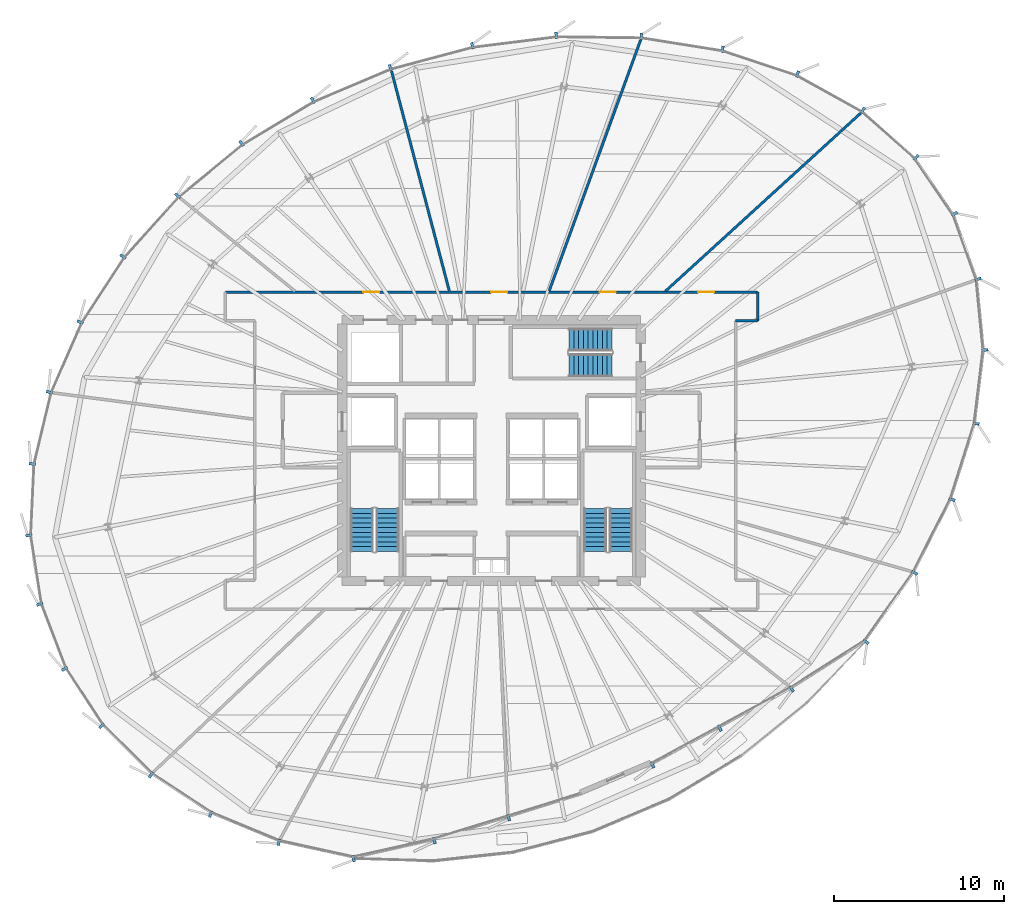
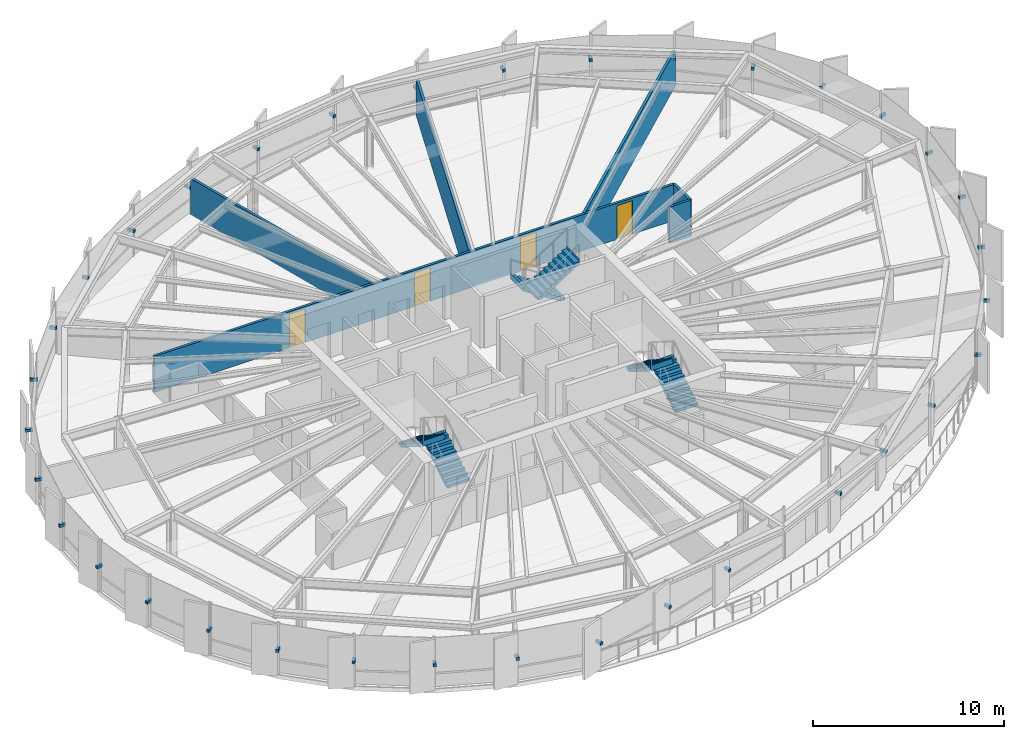
# One storey, part 31 of 36: 35 discrete accessories, 6 stair flights, 6 walls, 4 doors, 4 openings, 3 elements without a shape of their own.
"""IFC4 building model written with IfcOpenShell, lengths in metres."""

from ifc_helpers import new_model, si_unit, direction, frame, frame_2d, origin, origin_2d, place, context, subcontext, project, spatial, polyline, rectangle, outline, extrude, source, transform, mapped, material, layer, layer_set, type_object, element, fill, aggregate, save


model = new_model("IFC4")

# Units and contexts
model_context = context("Model", 3, precision=1e-05, world=origin(), true_north=direction((0.0, 1.0)))
body_context = subcontext(model_context, "Body", "Model", "MODEL_VIEW")
ifc_project = project(units=[si_unit("LENGTHUNIT", "METRE"), si_unit("AREAUNIT", "SQUARE_METRE"), si_unit("VOLUMEUNIT", "CUBIC_METRE"), si_unit("PLANEANGLEUNIT", "RADIAN"), si_unit("MASSUNIT", "GRAM", prefix="KILO"), si_unit("THERMODYNAMICTEMPERATUREUNIT", "KELVIN")], contexts=[model_context])

# Site, building, storey
site_placement = place(None, origin())
site = spatial("IfcSite", under=ifc_project, at=site_placement, CompositionType="ELEMENT")
building_placement = place(site_placement, origin())
building = spatial("IfcBuilding", under=site, at=building_placement, Name="Kethvar Cultural Tower", CompositionType="ELEMENT")
storey_placement = place(building_placement, frame((0.0, 0.0, 143.0)))
storey = spatial("IfcBuildingStorey", under=building, at=storey_placement, Name="L36", CompositionType="ELEMENT", Elevation=143.0)

# Walls
ifc_material_1 = material(Name="Gypsum Fireboard Partition")
ifc_layer_1 = layer(ifc_material_1, 0.14990234375, Name="Gypsum Fireboard Partition")
ifc_layer_set_1 = layer_set([ifc_layer_1], Name="Gypsum Fireboard Partition (150 mm)")
wall_type_1 = type_object("IfcWallType", Name="WL-FIRE-150", PredefinedType="PARTITIONING", material=ifc_layer_set_1)
wall_1_placement = place(storey_placement, frame((61.199951171875, 35.449951171875, 0.0), z_axis=(0.0, 0.0, 1.0), x_axis=(1.0, 0.0, 0.0)))
element("IfcWall", 1, at=wall_1_placement, inside=storey, type_object=wall_type_1, Name="L36 Corridor Rated Wall ENT", PredefinedType="PARTITIONING", context=body_context, shape_type="SweptSolid", body=[
    extrude(rectangle(XDim=1.300048828125, YDim=0.14990234375, at=frame_2d((0.64990234375, 0.0))), origin(), (0.0, 0.0, 1.0), 2.304931640625),
])
wall_2_placement = place(storey_placement, frame((62.5, 35.449951171875, 0.0), z_axis=(0.0, 0.0, 1.0), x_axis=(0.0, 1.0, 0.0)))
element("IfcWall", 2, at=wall_2_placement, inside=storey, type_object=wall_type_1, Name="L36 Corridor Rated Wall EN", PredefinedType="PARTITIONING", context=body_context, shape_type="SweptSolid", body=[
    extrude(rectangle(XDim=1.699951171875, YDim=0.14990234375, at=frame_2d((0.85009765625, 0.0))), origin(), (0.0, 0.0, 1.0), 2.304931640625),
])

# Wall, openings, doors
wall_3_placement = place(storey_placement, frame((62.5, 37.14990234375, 0.0), z_axis=(0.0, 0.0, 1.0), x_axis=(-1.0, 0.0, 0.0)))
wall_3 = element("IfcWall", 3, at=wall_3_placement, inside=storey, type_object=wall_type_1, Name="L36 Corridor Rated Wall N", PredefinedType="PARTITIONING", context=body_context, shape_type="SweptSolid", body=[
    extrude(rectangle(XDim=31.39990234375, YDim=0.14990234375, at=frame_2d((15.699951171875, 0.0))), origin(), (0.0, 0.0, 1.0), 2.304931640625),
])
opening_1_placement = place(wall_3_placement, frame((2.5595703125, 0.0, 0.0)))
opening_1 = element("IfcOpeningElement", 4, at=opening_1_placement, cuts=wall_3, Name="Opening D-L36-06", PredefinedType="OPENING", context=body_context, shape_type="SweptSolid", body=[
    extrude(rectangle(XDim=0.949951171875, YDim=2.14990234375, at=frame_2d((0.47509765625, 1.074951171875))), frame((0.0, 0.0849609375, 0.0), z_axis=(0.0, -1.0, 0.0), x_axis=(1.0, 0.0, 0.0)), (0.0, 0.0, 1.0), 0.169921875),
])
opening_2_placement = place(wall_3_placement, frame((8.360595703125, 0.0, 0.0)))
opening_2 = element("IfcOpeningElement", 5, at=opening_2_placement, cuts=wall_3, Name="Opening D-L36-07", PredefinedType="OPENING", context=body_context, shape_type="SweptSolid", body=[
    extrude(rectangle(XDim=0.949951171875, YDim=2.14990234375, at=frame_2d((0.47509765625, 1.074951171875))), frame((0.0, 0.0849609375, 0.0), z_axis=(0.0, -1.0, 0.0), x_axis=(1.0, 0.0, 0.0)), (0.0, 0.0, 1.0), 0.169921875),
])
opening_3_placement = place(wall_3_placement, frame((14.763427734375, 0.0, 0.0)))
opening_3 = element("IfcOpeningElement", 6, at=opening_3_placement, cuts=wall_3, Name="Opening D-L36-08", PredefinedType="OPENING", context=body_context, shape_type="SweptSolid", body=[
    extrude(rectangle(XDim=0.949951171875, YDim=2.14990234375, at=frame_2d((0.47509765625, 1.074951171875))), frame((0.0, 0.0849609375, 0.0), z_axis=(0.0, -1.0, 0.0), x_axis=(1.0, 0.0, 0.0)), (0.0, 0.0, 1.0), 0.169921875),
])
opening_4_placement = place(wall_3_placement, frame((22.302490234375, 0.0, 0.0)))
opening_4 = element("IfcOpeningElement", 7, at=opening_4_placement, cuts=wall_3, Name="Opening D-L36-09", PredefinedType="OPENING", context=body_context, shape_type="SweptSolid", body=[
    extrude(rectangle(XDim=0.949951171875, YDim=2.14990234375, at=frame_2d((0.47509765625, 1.074951171875))), frame((0.0, 0.0849609375, 0.0), z_axis=(0.0, -1.0, 0.0), x_axis=(1.0, 0.0, 0.0)), (0.0, 0.0, 1.0), 0.169921875),
])
ifc_material_2 = material(Name="Architectural Oak Timber", Category="wood")
door_type = type_object("IfcDoorType", Name="DR-FD30-950", OperationType="NOTDEFINED", PredefinedType="DOOR", material=ifc_material_2)
shared_shape_1 = source(origin(), body_context, "Body", "SweptSolid", [
    extrude(rectangle(XDim=0.949951171875, YDim=2.14990234375, at=frame_2d((0.47509765625, 1.074951171875))), frame((0.0, 0.02490234375, 0.0), z_axis=(0.0, -1.0, 0.0), x_axis=(1.0, 0.0, 0.0)), (0.0, 0.0, 1.0), 0.050048828125),
])
door_1_placement = place(opening_1_placement, origin())
door_1 = element("IfcDoor", 8, at=door_1_placement, inside=storey, type_object=door_type, Name="L36 Cultural Event Salon 06 Door", OperationType="SINGLE_SWING_RIGHT", OverallHeight=2.14990234375, OverallWidth=0.949951171875, PredefinedType="DOOR", context=body_context, shape_type="MappedRepresentation", body=[
    mapped(shared_shape_1, transform((0.0, 0.0, 0.0), scale=1.0)),
])
fill(opening_1, door_1)
door_2_placement = place(opening_2_placement, origin())
door_2 = element("IfcDoor", 9, at=door_2_placement, inside=storey, type_object=door_type, Name="L36 Foundation Executive Office 07 Door", OperationType="SINGLE_SWING_LEFT", OverallHeight=2.14990234375, OverallWidth=0.949951171875, PredefinedType="DOOR", context=body_context, shape_type="MappedRepresentation", body=[
    mapped(shared_shape_1, transform((0.0, 0.0, 0.0), scale=1.0)),
])
fill(opening_2, door_2)
door_3_placement = place(opening_3_placement, origin())
door_3 = element("IfcDoor", 10, at=door_3_placement, inside=storey, type_object=door_type, Name="L36 Members' Refreshment Kitchenette 08 Door", OperationType="SINGLE_SWING_RIGHT", OverallHeight=2.14990234375, OverallWidth=0.949951171875, PredefinedType="DOOR", context=body_context, shape_type="MappedRepresentation", body=[
    mapped(shared_shape_1, transform((0.0, 0.0, 0.0), scale=1.0)),
])
fill(opening_3, door_3)
door_4_placement = place(opening_4_placement, origin())
door_4 = element("IfcDoor", 11, at=door_4_placement, inside=storey, type_object=door_type, Name="L36 Scholars' Study Lounge 09 Door", OperationType="SINGLE_SWING_LEFT", OverallHeight=2.14990234375, OverallWidth=0.949951171875, PredefinedType="DOOR", context=body_context, shape_type="MappedRepresentation", body=[
    mapped(shared_shape_1, transform((0.0, 0.0, 0.0), scale=1.0)),
])
fill(opening_4, door_4)

# Walls
ifc_material_3 = material(Name="Gypsum Acoustic Partition")
ifc_layer_2 = layer(ifc_material_3, 0.14990234375, Name="Gypsum Acoustic Partition")
ifc_layer_set_2 = layer_set([ifc_layer_2], Name="Gypsum Acoustic Partition (150 mm)")
wall_type_2 = type_object("IfcWallType", Name="WL-PART-150", PredefinedType="PARTITIONING", material=ifc_layer_set_2)
wall_4_placement = place(storey_placement, frame((57.06982421875, 37.203857421875, 0.0), z_axis=(0.0, 0.0, 1.0), x_axis=(0.738993722189, 0.673712311425, 0.0)))
element("IfcWall", 12, at=wall_4_placement, inside=storey, type_object=wall_type_2, Name="L36 Radial Partition Wall 07", PredefinedType="PARTITIONING", context=body_context, shape_type="SweptSolid", body=[
    extrude(rectangle(XDim=15.572509765625, YDim=0.14990234375, at=frame_2d((7.7861328125, 0.0))), origin(), (0.0, 0.0, 1.0), 2.304931640625),
])
wall_5_placement = place(storey_placement, frame((50.210693359375, 37.22509765625, 0.0), z_axis=(0.0, 0.0, 1.0), x_axis=(0.342383690123, 0.939560220921, 0.0)))
element("IfcWall", 13, at=wall_5_placement, inside=storey, type_object=wall_type_2, Name="L36 Radial Partition Wall 08", PredefinedType="PARTITIONING", context=body_context, shape_type="SweptSolid", body=[
    extrude(rectangle(XDim=15.756591796875, YDim=0.14990234375, at=frame_2d((7.87841796875, 0.0))), origin(), (0.0, 0.0, 1.0), 2.304931640625),
])
wall_6_placement = place(storey_placement, frame((44.311279296875, 37.227294921875, 0.0), z_axis=(0.0, 0.0, 1.0), x_axis=(-0.254138945529, 0.96716771884, 0.0)))
element("IfcWall", 14, at=wall_6_placement, inside=storey, type_object=wall_type_2, Name="L36 Radial Partition Wall 09", PredefinedType="PARTITIONING", context=body_context, shape_type="SweptSolid", body=[
    extrude(rectangle(XDim=13.396484375, YDim=0.14990234375, at=frame_2d((6.6982421875, 0.0))), origin(), (0.0, 0.0, 1.0), 2.304931640625),
])

# Stair, stair flights
ifc_material_4 = material(Name="Concrete C40/50", Category="concrete")
stair_type = type_object("IfcStairType", Name="ST-DOGLEG-135", PredefinedType="HALF_TURN_STAIR", material=ifc_material_4)
stair_1_placement = place(storey_placement, origin())
stair_1 = element("IfcStair", 15, at=stair_1_placement, inside=storey, type_object=stair_type, Name="L36 Core Exit Stair 1", PredefinedType="HALF_TURN_STAIR")
stair_flight_type = type_object("IfcStairFlightType", Name="FL-STRAIGHT-135", PredefinedType="STRAIGHT", material=ifc_material_4)
stair_flight_1_placement = place(storey_placement, frame((40.675048828125, 21.85009765625, 0.0), z_axis=(0.0, 0.0, 1.0), x_axis=(0.0, 1.0, 0.0)))
stair_flight_1 = element("IfcStairFlight", 16, at=stair_flight_1_placement, type_object=stair_flight_type, Name="ST-01 flight 1", NumberOfRisers=10, NumberOfTreads=9, PredefinedType="STRAIGHT", RiserHeight=0.1775, TreadLength=0.28, context=body_context, shape_type="SweptSolid", body=[
    extrude(outline(polyline([(-0.0009765625, -0.0009765625), (-0.0009765625, 0.177490234375), (0.280029296875, 0.177490234375), (0.280029296875, 0.35498046875), (0.56005859375, 0.35498046875), (0.56005859375, 0.532470703125), (0.840087890625, 0.532470703125), (0.840087890625, 0.7099609375), (1.1201171875, 0.7099609375), (1.1201171875, 0.887451171875), (1.39990234375, 0.887451171875), (1.39990234375, 1.06494140625), (1.679931640625, 1.06494140625), (1.679931640625, 1.242431640625), (1.9599609375, 1.242431640625), (1.9599609375, 1.419921875), (2.239990234375, 1.419921875), (2.239990234375, 1.597412109375), (2.52001953125, 1.597412109375), (2.52001953125, 1.77490234375), (2.52099609375, 1.77490234375), (2.52099609375, 1.419921875), (0.280029296875, 0.0), (0.0, -0.0009765625), (-0.0009765625, -0.0009765625)])), frame((0.0, 0.675048828125, 0.0), z_axis=(0.0, -1.0, 0.0), x_axis=(1.0, 0.0, 0.0)), (0.0, 0.0, 1.0), 1.35009765625),
])
stair_flight_2_placement = place(storey_placement, frame((39.1650390625, 24.3701171875, 1.77490234375), z_axis=(0.0, 0.0, 1.0), x_axis=(0.0, -1.0, 0.0)))
stair_flight_2 = element("IfcStairFlight", 17, at=stair_flight_2_placement, type_object=stair_flight_type, Name="ST-01 flight 2", NumberOfRisers=10, NumberOfTreads=9, PredefinedType="STRAIGHT", RiserHeight=0.1775, TreadLength=0.28, context=body_context, shape_type="SweptSolid", body=[
    extrude(outline(polyline([(-0.0009765625, -0.0009765625), (-0.0009765625, 0.177490234375), (0.280029296875, 0.177490234375), (0.280029296875, 0.35498046875), (0.56005859375, 0.35498046875), (0.56005859375, 0.532470703125), (0.840087890625, 0.532470703125), (0.840087890625, 0.7099609375), (1.1201171875, 0.7099609375), (1.1201171875, 0.887451171875), (1.39990234375, 0.887451171875), (1.39990234375, 1.06494140625), (1.679931640625, 1.06494140625), (1.679931640625, 1.242431640625), (1.9599609375, 1.242431640625), (1.9599609375, 1.419921875), (2.239990234375, 1.419921875), (2.239990234375, 1.597412109375), (2.52001953125, 1.597412109375), (2.52001953125, 1.77490234375), (2.52099609375, 1.77490234375), (2.52099609375, 1.419921875), (0.280029296875, 0.0), (0.0, -0.0009765625), (-0.0009765625, -0.0009765625)])), frame((0.0, 0.675048828125, 0.0), z_axis=(0.0, -1.0, 0.0), x_axis=(1.0, 0.0, 0.0)), (0.0, 0.0, 1.0), 1.35009765625),
])
aggregate(stair_1, [stair_flight_1, stair_flight_2])

stair_2_placement = place(storey_placement, origin())
stair_2 = element("IfcStair", 18, at=stair_2_placement, inside=storey, type_object=stair_type, Name="L36 Core Exit Stair 2", PredefinedType="HALF_TURN_STAIR")
stair_flight_3_placement = place(storey_placement, frame((54.43505859375, 21.85009765625, 0.0), z_axis=(0.0, 0.0, 1.0), x_axis=(0.0, 1.0, 0.0)))
stair_flight_3 = element("IfcStairFlight", 19, at=stair_flight_3_placement, type_object=stair_flight_type, Name="ST-02 flight 1", NumberOfRisers=10, NumberOfTreads=9, PredefinedType="STRAIGHT", RiserHeight=0.1775, TreadLength=0.28, context=body_context, shape_type="SweptSolid", body=[
    extrude(outline(polyline([(-0.0009765625, -0.0009765625), (-0.0009765625, 0.177490234375), (0.280029296875, 0.177490234375), (0.280029296875, 0.35498046875), (0.56005859375, 0.35498046875), (0.56005859375, 0.532470703125), (0.840087890625, 0.532470703125), (0.840087890625, 0.7099609375), (1.1201171875, 0.7099609375), (1.1201171875, 0.887451171875), (1.39990234375, 0.887451171875), (1.39990234375, 1.06494140625), (1.679931640625, 1.06494140625), (1.679931640625, 1.242431640625), (1.9599609375, 1.242431640625), (1.9599609375, 1.419921875), (2.239990234375, 1.419921875), (2.239990234375, 1.597412109375), (2.52001953125, 1.597412109375), (2.52001953125, 1.77490234375), (2.52099609375, 1.77490234375), (2.52099609375, 1.419921875), (0.280029296875, 0.0), (0.0, -0.0009765625), (-0.0009765625, -0.0009765625)])), frame((0.0, 0.675048828125, 0.0), z_axis=(0.0, -1.0, 0.0), x_axis=(1.0, 0.0, 0.0)), (0.0, 0.0, 1.0), 1.35009765625),
])
stair_flight_4_placement = place(storey_placement, frame((52.925048828125, 24.3701171875, 1.77490234375), z_axis=(0.0, 0.0, 1.0), x_axis=(0.0, -1.0, 0.0)))
stair_flight_4 = element("IfcStairFlight", 20, at=stair_flight_4_placement, type_object=stair_flight_type, Name="ST-02 flight 2", NumberOfRisers=10, NumberOfTreads=9, PredefinedType="STRAIGHT", RiserHeight=0.1775, TreadLength=0.28, context=body_context, shape_type="SweptSolid", body=[
    extrude(outline(polyline([(-0.0009765625, -0.0009765625), (-0.0009765625, 0.177490234375), (0.280029296875, 0.177490234375), (0.280029296875, 0.35498046875), (0.56005859375, 0.35498046875), (0.56005859375, 0.532470703125), (0.840087890625, 0.532470703125), (0.840087890625, 0.7099609375), (1.1201171875, 0.7099609375), (1.1201171875, 0.887451171875), (1.39990234375, 0.887451171875), (1.39990234375, 1.06494140625), (1.679931640625, 1.06494140625), (1.679931640625, 1.242431640625), (1.9599609375, 1.242431640625), (1.9599609375, 1.419921875), (2.239990234375, 1.419921875), (2.239990234375, 1.597412109375), (2.52001953125, 1.597412109375), (2.52001953125, 1.77490234375), (2.52099609375, 1.77490234375), (2.52099609375, 1.419921875), (0.280029296875, 0.0), (0.0, -0.0009765625), (-0.0009765625, -0.0009765625)])), frame((0.0, 0.675048828125, 0.0), z_axis=(0.0, -1.0, 0.0), x_axis=(1.0, 0.0, 0.0)), (0.0, 0.0, 1.0), 1.35009765625),
])
aggregate(stair_2, [stair_flight_3, stair_flight_4])

stair_3_placement = place(storey_placement, origin())
stair_3 = element("IfcStair", 21, at=stair_3_placement, inside=storey, type_object=stair_type, Name="L36 Core Exit Stair 3", PredefinedType="HALF_TURN_STAIR")
stair_flight_5_placement = place(storey_placement, frame((53.89990234375, 34.3349609375, 0.0), z_axis=(0.0, 0.0, 1.0), x_axis=(-1.0, 0.0, 0.0)))
stair_flight_5 = element("IfcStairFlight", 22, at=stair_flight_5_placement, type_object=stair_flight_type, Name="ST-03 flight 1", NumberOfRisers=10, NumberOfTreads=9, PredefinedType="STRAIGHT", RiserHeight=0.1775, TreadLength=0.28, context=body_context, shape_type="SweptSolid", body=[
    extrude(outline(polyline([(-0.0009765625, -0.0009765625), (-0.0009765625, 0.177490234375), (0.280029296875, 0.177490234375), (0.280029296875, 0.35498046875), (0.56005859375, 0.35498046875), (0.56005859375, 0.532470703125), (0.840087890625, 0.532470703125), (0.840087890625, 0.7099609375), (1.1201171875, 0.7099609375), (1.1201171875, 0.887451171875), (1.39990234375, 0.887451171875), (1.39990234375, 1.06494140625), (1.679931640625, 1.06494140625), (1.679931640625, 1.242431640625), (1.9599609375, 1.242431640625), (1.9599609375, 1.419921875), (2.239990234375, 1.419921875), (2.239990234375, 1.597412109375), (2.52001953125, 1.597412109375), (2.52001953125, 1.77490234375), (2.52099609375, 1.77490234375), (2.52099609375, 1.419921875), (0.280029296875, 0.0), (0.0, -0.0009765625), (-0.0009765625, -0.0009765625)])), frame((0.0, 0.675048828125, 0.0), z_axis=(0.0, -1.0, 0.0), x_axis=(1.0, 0.0, 0.0)), (0.0, 0.0, 1.0), 1.35009765625),
])
stair_flight_6_placement = place(storey_placement, frame((51.3798828125, 32.824951171875, 1.77490234375), z_axis=(0.0, 0.0, 1.0), x_axis=(1.0, 0.0, 0.0)))
stair_flight_6 = element("IfcStairFlight", 23, at=stair_flight_6_placement, type_object=stair_flight_type, Name="ST-03 flight 2", NumberOfRisers=10, NumberOfTreads=9, PredefinedType="STRAIGHT", RiserHeight=0.1775, TreadLength=0.28, context=body_context, shape_type="SweptSolid", body=[
    extrude(outline(polyline([(-0.0009765625, -0.0009765625), (-0.0009765625, 0.177490234375), (0.280029296875, 0.177490234375), (0.280029296875, 0.35498046875), (0.56005859375, 0.35498046875), (0.56005859375, 0.532470703125), (0.840087890625, 0.532470703125), (0.840087890625, 0.7099609375), (1.1201171875, 0.7099609375), (1.1201171875, 0.887451171875), (1.39990234375, 0.887451171875), (1.39990234375, 1.06494140625), (1.679931640625, 1.06494140625), (1.679931640625, 1.242431640625), (1.9599609375, 1.242431640625), (1.9599609375, 1.419921875), (2.239990234375, 1.419921875), (2.239990234375, 1.597412109375), (2.52001953125, 1.597412109375), (2.52001953125, 1.77490234375), (2.52099609375, 1.77490234375), (2.52099609375, 1.419921875), (0.280029296875, 0.0), (0.0, -0.0009765625), (-0.0009765625, -0.0009765625)])), frame((0.0, 0.675048828125, 0.0), z_axis=(0.0, -1.0, 0.0), x_axis=(1.0, 0.0, 0.0)), (0.0, 0.0, 1.0), 1.35009765625),
])
aggregate(stair_3, [stair_flight_5, stair_flight_6])

# Discrete accessories
ifc_material_5 = material(Name="Steel S355J2", Category="steel")
discrete_accessory_type = type_object("IfcDiscreteAccessoryType", Name="Steel Fin Bracket BRK-01", PredefinedType="BRACKET", material=ifc_material_5)
shared_shape_2 = source(origin(), body_context, "Body", "SweptSolid", [
    extrude(rectangle(XDim=0.3798828125, YDim=0.159912109375, at=origin_2d()), origin(), (0.0, 0.0, 1.0), 0.179931640625),
])
for number, where, z_axis, x_axis, name in (
    (24, (74.117919921875, 41.763916015625, 1.56005859375), (0.0, 0.0, 1.0), (0.825507718546, 0.564390827903, 0.0), "L36 Terracotta Fin Bracket 1.1"),
    (25, (71.847900390625, 45.083984375, 1.56005859375), (0.0, 0.0, 1.0), (0.663665141432, 0.748029798903, 0.0), "L36 Terracotta Fin Bracket 1.2"),
    (26, (68.710205078125, 47.86767578125, 1.56005859375), (0.0, 0.0, 1.0), (0.486030346756, 0.873941932872, 0.0), "L36 Terracotta Fin Bracket 1.3"),
    (27, (64.852294921875, 50.01318359375, 1.56005859375), (0.0, 0.0, 1.0), (0.314820866332, 0.949151106053, 0.0), "L36 Terracotta Fin Bracket 1.4"),
    (28, (60.43505859375, 51.478271484375, 1.56005859375), (0.0, 0.0, 1.0), (0.157641036938, 0.987496482765, 0.0), "L36 Terracotta Fin Bracket 1.5"),
    (29, (55.64111328125, 52.2431640625, 1.56005859375), (0.0, 0.0, 1.0), (0.012740558836, 0.999918835786, 0.0), "L36 Terracotta Fin Bracket 1.6"),
    (30, (50.62158203125, 52.302001953125, 1.56005859375), (0.0, 0.0, 1.0), (-0.124294224947, 0.992245405958, 0.0), "L36 Terracotta Fin Bracket 2.1"),
    (31, (45.671875, 51.681884765625, 1.56005859375), (0.0, 0.0, 1.0), (-0.257807388214, 0.966196331282, 0.0), "L36 Terracotta Fin Bracket 2.2"),
    (32, (40.83447265625, 50.39111328125, 1.56005859375), (0.0, 0.0, 1.0), (-0.389445480794, 0.921049519564, 0.0), "L36 Terracotta Fin Bracket 2.3"),
    (33, (36.271728515625, 48.461181640625, 1.56005859375), (0.0, 0.0, 1.0), (-0.516533328867, 0.8562670846, 0.0), "L36 Terracotta Fin Bracket 2.4"),
    (34, (32.0556640625, 45.917724609375, 1.56005859375), (0.0, 0.0, 1.0), (-0.634595636084, 0.772844343101, 0.0), "L36 Terracotta Fin Bracket 2.5"),
    (35, (28.287353515625, 42.823486328125, 1.56005859375), (0.0, 0.0, 1.0), (-0.742209818805, 0.670167579691, 0.0), "L36 Terracotta Fin Bracket 2.6"),
    (36, (25.060302734375, 39.240478515625, 1.56005859375), (0.0, 0.0, 1.0), (-0.837337261414, 0.546686665878, 0.0), "L36 Terracotta Fin Bracket 3.1"),
    (37, (22.535888671875, 35.373779296875, 1.56005859375), (0.0, 0.0, 1.0), (-0.91594298266, 0.401308425672, 0.0), "L36 Terracotta Fin Bracket 3.2"),
    (38, (20.72705078125, 31.244384765625, 1.56005859375), (0.0, 0.0, 1.0), (-0.972369920398, 0.233445363856, 0.0), "L36 Terracotta Fin Bracket 3.3"),
    (39, (19.71044921875, 27.010009765625, 1.56005859375), (0.0, 0.0, 1.0), (-0.99894668085, 0.045886041654, 0.0), "L36 Terracotta Fin Bracket 3.4"),
    (40, (19.51708984375, 22.799560546875, 1.56005859375), (0.0, 0.0, 1.0), (-0.987959865769, -0.154710386299, 0.0), "L36 Terracotta Fin Bracket 3.5"),
    (41, (20.15283203125, 18.7412109375, 1.56005859375), (0.0, 0.0, 1.0), (-0.934142197566, -0.356901043325, 0.0), "L36 Terracotta Fin Bracket 3.6"),
    (42, (21.61962890625, 14.92529296875, 1.56005859375), (0.0, 0.0, 1.0), (-0.837814016633, -0.545955743199, 0.0), "L36 Terracotta Fin Bracket 4.1"),
    (43, (23.809814453125, 11.56494140625, 1.56005859375), (0.0, 0.0, 1.0), (-0.705871570679, -0.708339837725, 0.0), "L36 Terracotta Fin Bracket 4.2"),
    (44, (26.7197265625, 8.66552734375, 1.56005859375), (0.0, 0.0, 1.0), (-0.550043539327, -0.835135979853, 0.0), "L36 Terracotta Fin Bracket 4.3"),
    (45, (30.23974609375, 6.347412109375, 1.56005859375), (0.0, 0.0, 1.0), (-0.382683432365, -0.923879532511, 0.0), "L36 Terracotta Fin Bracket 4.4"),
    (46, (34.2626953125, 4.681396484375, 1.56005859375), (0.0, 0.0, 1.0), (-0.213712440794, -0.976896613081, 0.0), "L36 Terracotta Fin Bracket 4.5"),
    (47, (38.66943359375, 3.718017578125, 1.56005859375), (0.0, 0.0, 1.0), (0.218994806262, -0.975726024471, 0.0), "L36 Terracotta Fin Bracket 4.6"),
    (48, (43.424560546875, 4.788330078125, 1.56005859375), (0.0, 0.0, 1.0), (0.294207138104, -0.955741680523, 0.0), "L36 Terracotta Fin Bracket 5.1"),
    (49, (47.811279296875, 6.138671875, 1.56005859375), (0.0, 0.0, 1.0), (0.296208192067, -0.955123398809, 0.0), "L36 Terracotta Fin Bracket 5.2"),
    (50, (56.29541015625, 9.2509765625, 1.56005859375), (0.0, 0.0, 1.0), (0.479457860256, -0.877564903719, 0.0), "L36 Terracotta Fin Bracket 6.1"),
    (51, (60.2685546875, 11.42138671875, 1.56005859375), (0.0, 0.0, 1.0), (0.478078793588, -0.878316951403, 0.0), "L36 Terracotta Fin Bracket 6.2"),
    (52, (64.51171875, 13.730712890625, 1.56005859375), (0.0, 0.0, 1.0), (0.536563405971, -0.843860006976, 0.0), "L36 Terracotta Fin Bracket 6.3"),
    (53, (68.896240234375, 16.519287109375, 1.56005859375), (0.0, 0.0, 1.0), (0.816440043737, -0.577430216549, 0.0), "L36 Terracotta Fin Bracket 6.4"),
    (54, (71.7724609375, 20.586669921875, 1.56005859375), (0.0, 0.0, 1.0), (0.891560513111, -0.452901591366, 0.0), "L36 Terracotta Fin Bracket 6.5"),
    (55, (73.97119140625, 24.91455078125, 1.56005859375), (0.0, 0.0, 1.0), (0.952926437371, -0.303201591289, 0.0), "L36 Terracotta Fin Bracket 6.6"),
    (56, (75.38671875, 29.388427734375, 1.56005859375), (0.0, 0.0, 1.0), (0.99271534578, -0.120483369194, 0.0), "L36 Terracotta Fin Bracket 7.1"),
    (57, (75.913330078125, 33.732421875, 1.56005859375), (0.0, 0.0, 1.0), (0.995261402206, 0.097235493922, 0.0), "L36 Terracotta Fin Bracket 7.2"),
    (58, (75.50537109375, 37.9072265625, 1.56005859375), (0.0, 0.0, 1.0), (0.941823033858, 0.336109168121, 0.0), "L36 Terracotta Fin Bracket 7.3"),
):
    element("IfcDiscreteAccessory", number, at=place(storey_placement, frame(where, z_axis=z_axis, x_axis=x_axis)), inside=storey, type_object=discrete_accessory_type, Name=name, PredefinedType="BRACKET", context=body_context, shape_type="MappedRepresentation", body=[
        mapped(shared_shape_2, transform((0.0, 0.0, 0.0), scale=1.0)),
    ])

save(model, "model.ifc")
